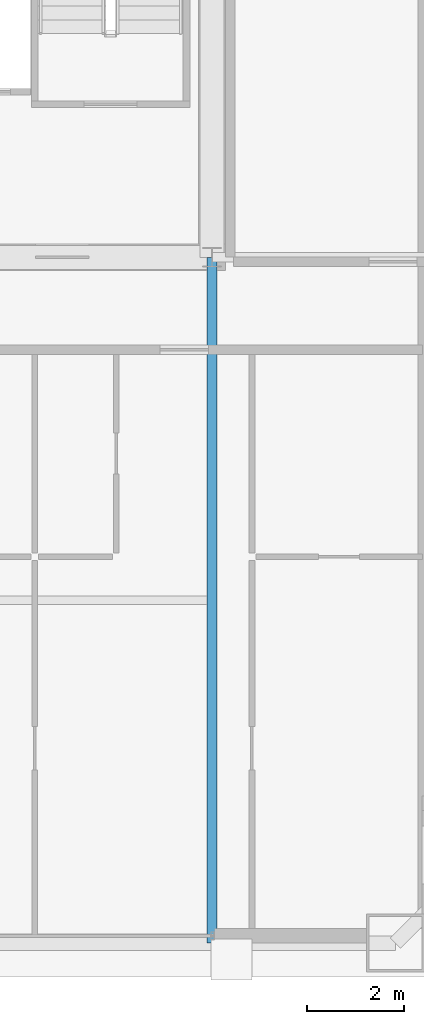
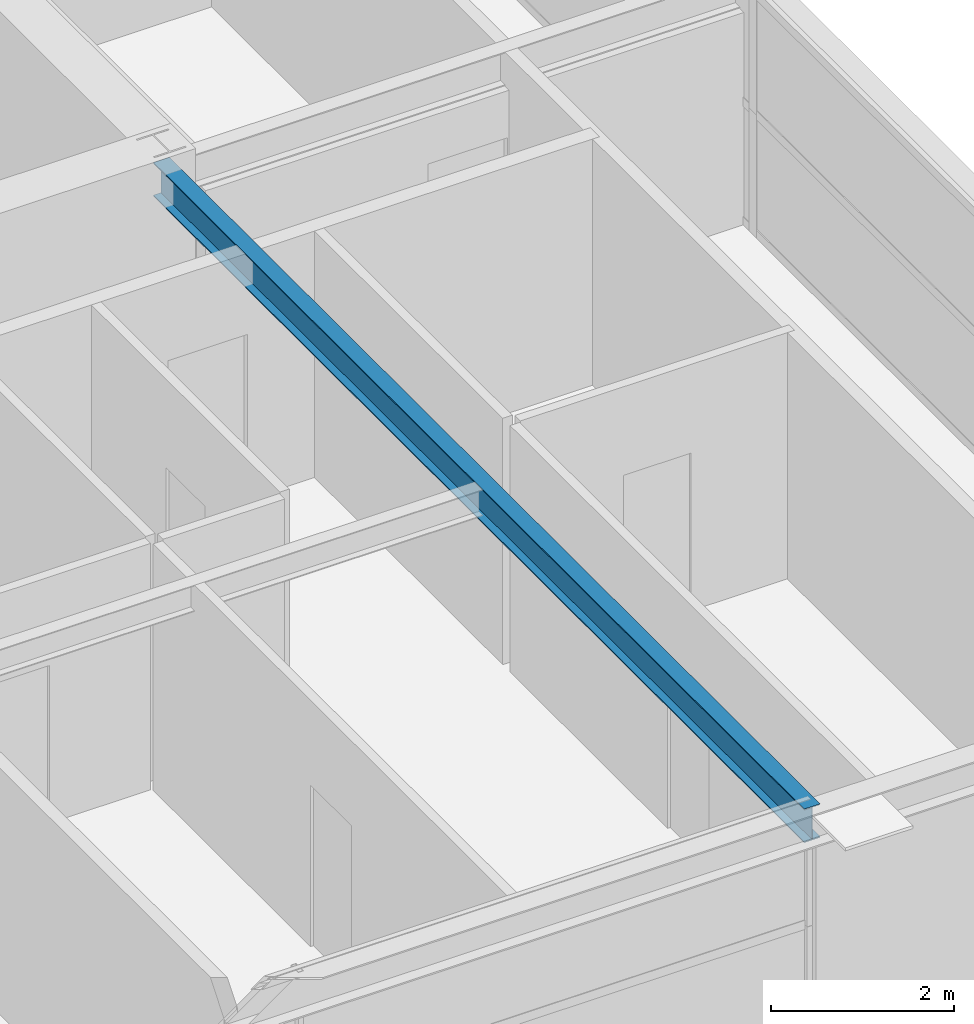
# One storey, part 16 of 37: 1 beam.
"""IFC4 building model written with IfcOpenShell, lengths in metres."""

import ifcopenshell
import ifcopenshell.guid

model = None  # the IFC model being written
_history = None  # IfcOwnerHistory: only IFC2X3 demands one
_inside = {}  # id of a spatial element -> (the spatial element, [elements in it])
_under = {}  # id of a project, library or spatial element -> (it, [spatial elements below it])
_declared = {}  # id of a project -> (the project, [libraries it declares])
_typed = {}  # id of a type object -> (the type object, [elements of that type])
_made_of = {}  # id of a material, layer set ... -> (it, [elements and type objects made of it])


def new_model(schema):
    """Start an empty IFC model of exactly this schema.

    Asked for "IFC4X3", IfcOpenShell would pick the latest addendum, in which some entities
    have other attributes; the version numbers below select the first issue.
    IFC2X3 requires an IfcOwnerHistory on every rooted entity: one is made here for all.
    """
    global model, _history
    if schema == "IFC4X3":
        model = ifcopenshell.file(schema_version=(4, 3, 0, 0))
    else:
        model = ifcopenshell.file(schema=schema)
    _inside.clear()
    _under.clear()
    _declared.clear()
    _typed.clear()
    _made_of.clear()
    _history = None
    if model.schema == "IFC2X3":
        org = make("IfcOrganization", Name="unknown")
        user = make(
            "IfcPersonAndOrganization",
            ThePerson=make("IfcPerson", FamilyName="unknown"),
            TheOrganization=org,
        )
        app = make(
            "IfcApplication",
            ApplicationDeveloper=org,
            Version="unknown",
            ApplicationFullName="unknown",
            ApplicationIdentifier="unknown",
        )
        _history = make(
            "IfcOwnerHistory",
            OwningUser=user,
            OwningApplication=app,
            ChangeAction="ADDED",
            CreationDate=0,
        )
    return model


def make(cls, **values):
    """One entity of the class cls with the attributes given. An attribute that is None is left unset."""
    return model.create_entity(
        cls, **{name: value for name, value in values.items() if value is not None}
    )


def rooted(cls, **values):
    """An entity with a GlobalId (a new one), such as an element, a storey or a relation."""
    return make(cls, GlobalId=ifcopenshell.guid.new(), OwnerHistory=_history, **values)


def si_unit(unit_type, name, prefix=None):
    """IfcSIUnit, for example si_unit("LENGTHUNIT", "METRE", prefix="MILLI")."""
    return make("IfcSIUnit", UnitType=unit_type, Prefix=prefix, Name=name)


def assignment(units):
    """IfcUnitAssignment: the units of a project."""
    return None if units is None else make("IfcUnitAssignment", Units=units)


def point(xyz):
    """IfcCartesianPoint."""
    return None if xyz is None else make("IfcCartesianPoint", Coordinates=xyz)


def direction(xyz):
    """IfcDirection."""
    return None if xyz is None else make("IfcDirection", DirectionRatios=xyz)


def frame(location, z_axis=None, x_axis=None):
    """IfcAxis2Placement3D, a coordinate frame: its origin and axes. An axis left out is left unset."""
    return make(
        "IfcAxis2Placement3D",
        Location=point(location),
        Axis=direction(z_axis),
        RefDirection=direction(x_axis),
    )


def frame_2d(location, x_axis=None):
    """IfcAxis2Placement2D, a coordinate frame in the plane: its origin and x axis."""
    return make(
        "IfcAxis2Placement2D", Location=point(location), RefDirection=direction(x_axis)
    )


def origin():
    """The frame at (0, 0, 0) with its axes left unset."""
    return frame((0.0, 0.0, 0.0))


def origin_2d():
    """The frame at (0, 0) in the plane with its x axis left unset."""
    return frame_2d((0.0, 0.0))


def place(relative_to, where):
    """IfcLocalPlacement: puts the frame where relative to a parent placement (None: the world)."""
    return make(
        "IfcLocalPlacement", PlacementRelTo=relative_to, RelativePlacement=where
    )


def context(
    kind, dimensions, precision=None, world=None, true_north=None, identifier=None
):
    """IfcGeometricRepresentationContext, for example the 3D "Model" context."""
    return make(
        "IfcGeometricRepresentationContext",
        ContextIdentifier=identifier,
        ContextType=kind,
        CoordinateSpaceDimension=dimensions,
        Precision=precision,
        WorldCoordinateSystem=world,
        TrueNorth=true_north,
    )


def subcontext(parent, identifier, kind, view, scale=None):
    """IfcGeometricRepresentationSubContext, for example "Body" below "Model"."""
    return make(
        "IfcGeometricRepresentationSubContext",
        ContextIdentifier=identifier,
        ContextType=kind,
        ParentContext=parent,
        TargetScale=scale,
        TargetView=view,
    )


def project(units=None, contexts=None):
    """IfcProject with its units and contexts."""
    return rooted(
        "IfcProject",
        Name="project",
        RepresentationContexts=contexts,
        UnitsInContext=assignment(units),
    )


def spatial(cls, under=None, at=None, **own):
    """A site, building, storey or space (cls), placed at a placement, below another one or the project."""
    s = rooted(cls, ObjectPlacement=at, **own)
    if under is not None:
        _under.setdefault(under.id(), (under, []))[1].append(s)
    return s


def profile(cls, at=None, kind="AREA", **sizes):
    """A parametric profile (cls). Its sizes go by their IFC names, for example OverallWidth=200.0."""
    return make(cls, ProfileType=kind, Position=at, **sizes)


def i_section(**sizes):
    """IfcIShapeProfileDef."""
    return profile("IfcIShapeProfileDef", **sizes)


def extrude(swept, where, along, depth):
    """IfcExtrudedAreaSolid: the profile swept, set in the frame where, extruded along a direction by depth."""
    return make(
        "IfcExtrudedAreaSolid",
        SweptArea=swept,
        Position=where,
        ExtrudedDirection=direction(along),
        Depth=depth,
    )


def shape(context_of_items, identifier, shape_type, items):
    """IfcShapeRepresentation: the items that make up one representation, for example the "Body"."""
    return make(
        "IfcShapeRepresentation",
        ContextOfItems=context_of_items,
        RepresentationIdentifier=identifier,
        RepresentationType=shape_type,
        Items=items,
    )


def source(mapping_origin, context_of_items, identifier, shape_type, items):
    """IfcRepresentationMap: a shape defined once, which mapped items show again and again."""
    return make(
        "IfcRepresentationMap",
        MappingOrigin=mapping_origin,
        MappedRepresentation=shape(context_of_items, identifier, shape_type, items),
    )


def transform(
    local_origin,
    x_axis=None,
    y_axis=None,
    z_axis=None,
    scale=None,
    scale2=None,
    scale3=None,
    uniform=True,
):
    """IfcCartesianTransformationOperator3D, or its non-uniform kind. x_axis, y_axis, z_axis: its Axis1, 2, 3."""
    if uniform:
        return make(
            "IfcCartesianTransformationOperator3D",
            Axis1=direction(x_axis),
            Axis2=direction(y_axis),
            LocalOrigin=point(local_origin),
            Scale=scale,
            Axis3=direction(z_axis),
        )
    return make(
        "IfcCartesianTransformationOperator3DnonUniform",
        Axis1=direction(x_axis),
        Axis2=direction(y_axis),
        LocalOrigin=point(local_origin),
        Scale=scale,
        Axis3=direction(z_axis),
        Scale2=scale2,
        Scale3=scale3,
    )


def mapped(mapping_source, mapping_target):
    """IfcMappedItem: shows the shape of a source again, moved by a transform."""
    return make(
        "IfcMappedItem", MappingSource=mapping_source, MappingTarget=mapping_target
    )


def material(Name=None, Category=None):
    """IfcMaterial."""
    return make("IfcMaterial", Name=Name, Category=Category)


def material_profile(
    of_material, cross_section, Name=None, Category=None, Priority=None
):
    """IfcMaterialProfile: a cross section and its material."""
    return make(
        "IfcMaterialProfile",
        Name=Name,
        Material=of_material,
        Profile=cross_section,
        Priority=Priority,
        Category=Category,
    )


def profile_set(profiles, Name=None, composite=None):
    """IfcMaterialProfileSet."""
    return make(
        "IfcMaterialProfileSet",
        Name=Name,
        MaterialProfiles=profiles,
        CompositeProfile=composite,
    )


def made_of(thing, what):
    """Note that an element or type object is made of a material, layer set ...; save() writes the relation."""
    if what is not None:
        _made_of.setdefault(what.id(), (what, []))[1].append(thing)
    return thing


def type_object(cls, material=None, **own):
    """A type object (cls), such as IfcWallType, which elements share."""
    return made_of(rooted(cls, **own), material)


def element(
    cls,
    number,
    at=None,
    inside=None,
    cuts=None,
    type_object=None,
    material=None,
    context=None,
    identifier="Body",
    shape_type=None,
    held_by="IfcProductDefinitionShape",
    body=None,
    shapes=None,
    **own,
):
    """One element of the class cls, such as IfcWall. Its Tag is "e" and its number.

    at: its placement. inside: the storey or other place that contains it. cuts: it is an
    opening in that element (IfcRelVoidsElement). A single representation is given by context,
    identifier, shape_type and body (its items); several are given by shapes. held_by: the class
    of the entity that holds the representations. save() writes the other relations.
    """
    e = rooted(cls, Tag="e%d" % number, ObjectPlacement=at, **own)
    if body is not None:
        shapes = [shape(context, identifier, shape_type, body)]
    if shapes is not None:
        e.Representation = make(held_by, Representations=shapes)
    if inside is not None:
        _inside.setdefault(inside.id(), (inside, []))[1].append(e)
    if cuts is not None:
        rooted(
            "IfcRelVoidsElement", RelatingBuildingElement=cuts, RelatedOpeningElement=e
        )
    if type_object is not None:
        _typed.setdefault(type_object.id(), (type_object, []))[1].append(e)
    return made_of(e, material)


def aggregate(whole, parts):
    """IfcRelAggregates: a whole, such as a stair, and the parts it consists of."""
    return rooted("IfcRelAggregates", RelatingObject=whole, RelatedObjects=parts)


def save(model, path):
    """Write the relations noted so far, then the file.

    IfcRelAggregates (storeys below a building ...), IfcRelContainedInSpatialStructure (elements
    in a storey), IfcRelDefinesByType, IfcRelAssociatesMaterial and IfcRelDeclares: one each for
    every whole, place, type object, material and project.
    """
    for whole, parts in _under.values():
        aggregate(whole, parts)
    for where, things in _inside.values():
        rooted(
            "IfcRelContainedInSpatialStructure",
            RelatedElements=things,
            RelatingStructure=where,
        )
    for kind, things in _typed.values():
        rooted("IfcRelDefinesByType", RelatedObjects=things, RelatingType=kind)
    for what, things in _made_of.values():
        rooted("IfcRelAssociatesMaterial", RelatedObjects=things, RelatingMaterial=what)
    for by, libraries in _declared.values():
        rooted("IfcRelDeclares", RelatingContext=by, RelatedDefinitions=libraries)
    model.write(path)


model = new_model("IFC4")

# Units and contexts
model_context = context("Model", 3, precision=1e-05, world=origin(), true_north=direction((0.0, 1.0)))
body_context = subcontext(model_context, "Body", "Model", "MODEL_VIEW")
ifc_project = project(units=[si_unit("LENGTHUNIT", "METRE"), si_unit("AREAUNIT", "SQUARE_METRE"), si_unit("VOLUMEUNIT", "CUBIC_METRE"), si_unit("PLANEANGLEUNIT", "RADIAN"), si_unit("MASSUNIT", "GRAM", prefix="KILO"), si_unit("THERMODYNAMICTEMPERATUREUNIT", "KELVIN"), si_unit("POWERUNIT", "WATT")], contexts=[model_context])

# Site, building, storey
site_placement = place(None, origin())
site = spatial("IfcSite", under=ifc_project, at=site_placement, CompositionType="ELEMENT")
building_placement = place(site_placement, origin())
building = spatial("IfcBuilding", under=site, at=building_placement, Name="Yuzanri Waterfront Tower", CompositionType="ELEMENT")
storey_placement = place(building_placement, frame((0.0, 0.0, 245.10009765625)))
storey = spatial("IfcBuildingStorey", under=building, at=storey_placement, Name="L65", CompositionType="ELEMENT", Elevation=245.10009765625)

# Beam
ifc_material = material(Name="Steel Q355B", Category="steel")
ifc_material_profile = material_profile(ifc_material, i_section(OverallWidth=0.199951171875, OverallDepth=0.449951171875, WebThickness=0.009033203125, FlangeThickness=0.013916015625, at=origin_2d()), Name="HN 450x200x9x14")
ifc_profile_set = profile_set([ifc_material_profile], Name="Steel Q355B")
beam_type = type_object("IfcBeamType", Name="Secondary Floor Beam Q355B HN 450x200", PredefinedType="BEAM", material=ifc_profile_set)
shared_shape = source(origin(), body_context, "Body", "SweptSolid", [
    extrude(i_section(OverallWidth=0.199951171875, OverallDepth=0.449951171875, WebThickness=0.009033203125, FlangeThickness=0.013916015625, at=origin_2d()), origin(), (0.0, 0.0, 1.0), 14.199951171875),
])
beam_placement = place(storey_placement, frame((50.199951171875, 19.39990234375, 3.054931640625), z_axis=(0.0, -1.0, 0.0), x_axis=(1.0, 0.0, 0.0)))
element("IfcBeam", 1, at=beam_placement, inside=storey, type_object=beam_type, Name="L65 South-East Core Line Beam", PredefinedType="BEAM", context=body_context, shape_type="MappedRepresentation", body=[
    mapped(shared_shape, transform((0.0, 0.0, 0.0), scale=1.0)),
])

save(model, "model.ifc")
